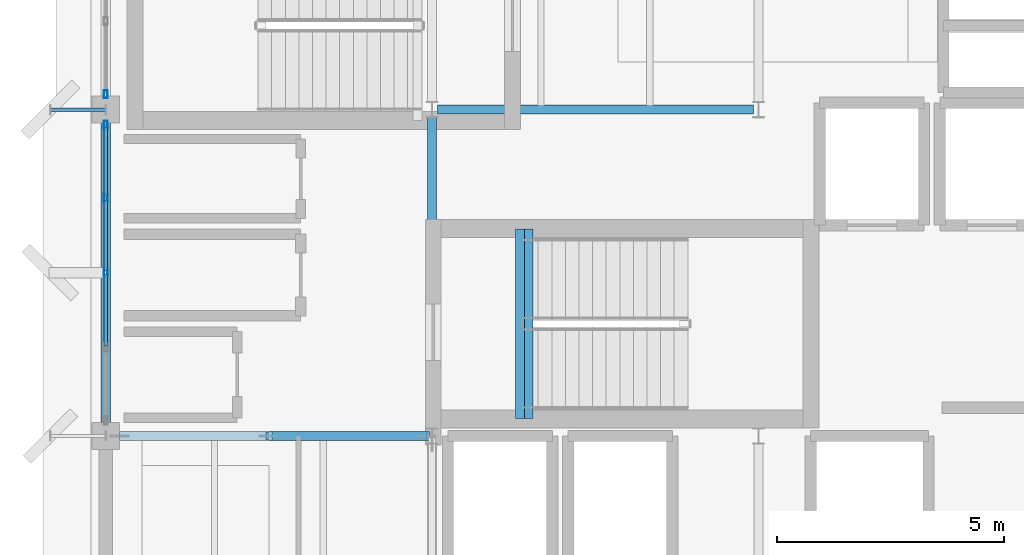
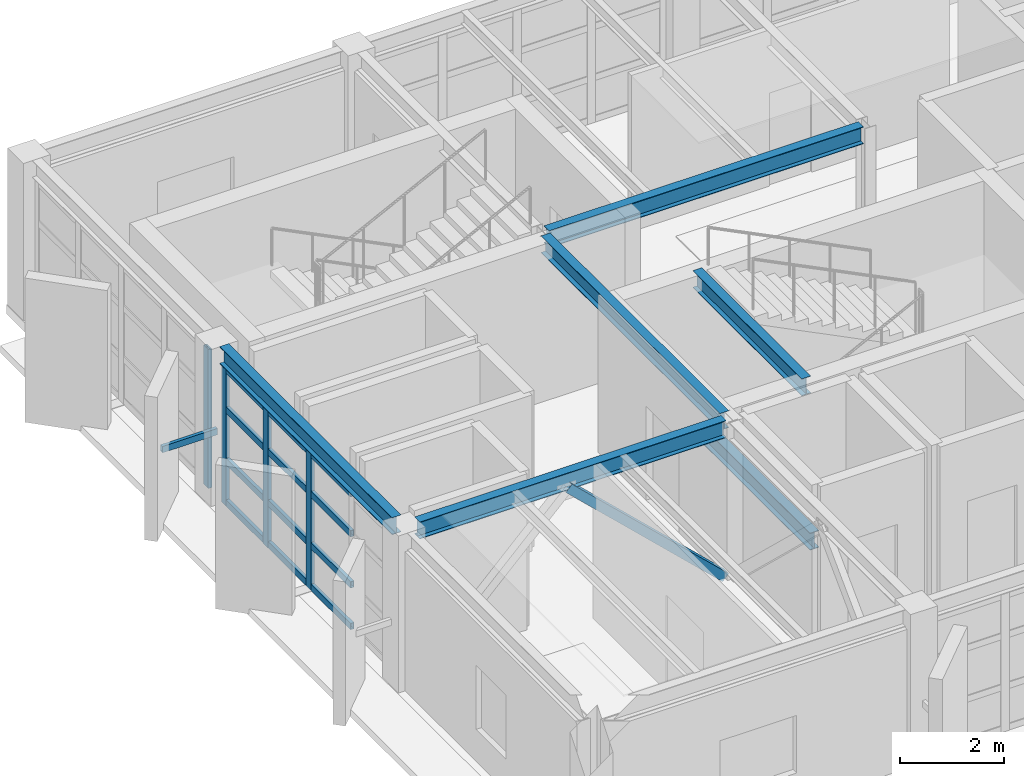
# One storey, part 4 of 15: 18 members, 6 beams, 2 elements without a shape of their own.
"""IFC4 building model written with IfcOpenShell, lengths in metres."""

from ifc_helpers import new_model, si_unit, direction, frame, origin, origin_2d, place, context, subcontext, project, spatial, hollow_rectangle, i_section, extrude, material, layer, layer_set, material_profile, profile_set, type_object, element, aggregate, save


model = new_model("IFC4")

# Units and contexts
model_context = context("Model", 3, precision=1e-05, world=origin(), true_north=direction((0.0, 1.0)))
body_context = subcontext(model_context, "Body", "Model", "MODEL_VIEW")
ifc_project = project(units=[si_unit("LENGTHUNIT", "METRE"), si_unit("AREAUNIT", "SQUARE_METRE"), si_unit("VOLUMEUNIT", "CUBIC_METRE"), si_unit("PLANEANGLEUNIT", "RADIAN"), si_unit("MASSUNIT", "GRAM", prefix="KILO")], contexts=[model_context])

# Site, building, storey
site_placement = place(None, origin())
site = spatial("IfcSite", under=ifc_project, at=site_placement, CompositionType="ELEMENT")
building_placement = place(site_placement, origin())
building = spatial("IfcBuilding", under=site, at=building_placement, Name="Kandorven Conservatory and Botanical Research Centre", CompositionType="ELEMENT")
storey_placement = place(building_placement, frame((0.0, 0.0, 48.300048828125)))
storey = spatial("IfcBuildingStorey", under=building, at=storey_placement, Name="L12", CompositionType="ELEMENT", Elevation=48.300048828125)

# Beams
ifc_material_1 = material(Name="Steel S355 (IS 2062 E350)", Category="steel")
ifc_material_profile_1 = material_profile(ifc_material_1, i_section(OverallWidth=0.199951171875, OverallDepth=0.39990234375, WebThickness=0.008544921875, FlangeThickness=0.012939453125, at=origin_2d()))
ifc_profile_set_1 = profile_set([ifc_material_profile_1], Name="Steel S355 (IS 2062 E350)")
beam_type = type_object("IfcBeamType", Name="Beam_FG-03", PredefinedType="USERDEFINED", material=ifc_profile_set_1)
beam_1_placement = place(storey_placement, frame((6.2900390625, 13.199951171875, 3.47998046875), z_axis=(1.0, 0.0, 0.0), x_axis=(0.0, 1.0, 0.0)))
element("IfcBeam", 1, at=beam_1_placement, inside=storey, type_object=beam_type, Name="Primary girder FG-03 TWR L12", ObjectType="GIRDER", PredefinedType="USERDEFINED", context=body_context, shape_type="SweptSolid", body=[
    extrude(i_section(OverallWidth=0.199951171875, OverallDepth=0.39990234375, WebThickness=0.008544921875, FlangeThickness=0.012939453125, at=origin_2d()), origin(), (0.0, 0.0, 1.0), 6.794921875),
])
beam_2_placement = place(storey_placement, frame((13.31494140625, 20.39990234375, 3.47998046875), z_axis=(1.0, 0.0, 0.0), x_axis=(0.0, 1.0, 0.0)))
element("IfcBeam", 2, at=beam_2_placement, inside=storey, type_object=beam_type, Name="Primary girder FG-03 TWR L12", ObjectType="GIRDER", PredefinedType="USERDEFINED", context=body_context, shape_type="SweptSolid", body=[
    extrude(i_section(OverallWidth=0.199951171875, OverallDepth=0.39990234375, WebThickness=0.008544921875, FlangeThickness=0.012939453125, at=origin_2d()), origin(), (0.0, 0.0, 1.0), 6.969970703125),
])
beam_3_placement = place(storey_placement, frame((6.0, 13.489990234375, 3.47998046875), z_axis=(0.0, 1.0, 0.0), x_axis=(-1.0, 0.0, 0.0)))
element("IfcBeam", 3, at=beam_3_placement, inside=storey, type_object=beam_type, Name="Primary girder FG-03 TWR L12", ObjectType="GIRDER", PredefinedType="USERDEFINED", context=body_context, shape_type="SweptSolid", body=[
    extrude(i_section(OverallWidth=0.199951171875, OverallDepth=0.39990234375, WebThickness=0.008544921875, FlangeThickness=0.012939453125, at=origin_2d()), origin(), (0.0, 0.0, 1.0), 6.6201171875),
])
beam_4_placement = place(storey_placement, frame((13.199951171875, 13.364990234375, 3.47998046875), z_axis=(0.0, 1.0, 0.0), x_axis=(-1.0, 0.0, 0.0)))
element("IfcBeam", 4, at=beam_4_placement, inside=storey, type_object=beam_type, Name="Primary girder FG-03 TWR L12", ObjectType="GIRDER", PredefinedType="USERDEFINED", context=body_context, shape_type="SweptSolid", body=[
    extrude(i_section(OverallWidth=0.199951171875, OverallDepth=0.39990234375, WebThickness=0.008544921875, FlangeThickness=0.012939453125, at=origin_2d()), origin(), (0.0, 0.0, 1.0), 6.8701171875),
])
for number, where, z_axis, x_axis, name in (
    (5, (15.320068359375, 13.580078125, -0.199951171875), (0.0, 1.0, 0.0), (-1.0, 0.0, 0.0), "Stair well bottom trimmer girder FG-03 ST-T1 L12"),
    (6, (15.139892578125, 13.580078125, 3.47998046875), (0.0, 1.0, 0.0), (-1.0, 0.0, 0.0), "Stair well top header girder FG-03 ST-T1 L12"),
):
    element("IfcBeam", number, at=place(storey_placement, frame(where, z_axis=z_axis, x_axis=x_axis)), inside=storey, type_object=beam_type, Name=name, ObjectType="GIRDER", PredefinedType="USERDEFINED", context=body_context, shape_type="SweptSolid", body=[
        extrude(i_section(OverallWidth=0.199951171875, OverallDepth=0.39990234375, WebThickness=0.008544921875, FlangeThickness=0.012939453125, at=origin_2d()), origin(), (0.0, 0.0, 1.0), 4.18994140625),
    ])

# Curtain wall, members
ifc_material_2 = material(Name="Bronze anodised thermally broken aluminium", Category="aluminium")
ifc_layer = layer(ifc_material_2, 0.179931640625)
ifc_layer_set = layer_set([ifc_layer], Name="Bronze anodised thermally broken aluminium")
curtain_wall_type = type_object("IfcCurtainWallType", Name="CW_Unitised", PredefinedType="USERDEFINED", material=ifc_layer_set)
curtain_wall_1_placement = place(storey_placement, origin())
curtain_wall_1 = element("IfcCurtainWall", 7, at=curtain_wall_1_placement, inside=storey, type_object=curtain_wall_type, Name="Tower laboratory curtain wall CW-TWR-W-L12-2", ObjectType="UNITISED GLAZING", PredefinedType="USERDEFINED")
ifc_material_3 = material(Name="Bronze anodised thermally broken aluminium", Category="aluminium")
ifc_material_profile_2 = material_profile(ifc_material_3, hollow_rectangle(XDim=0.080078125, YDim=0.179931640625, WallThickness=0.006103515625, at=origin_2d()))
ifc_profile_set_2 = profile_set([ifc_material_profile_2], Name="Bronze anodised thermally broken aluminium")
member_type_1 = type_object("IfcMemberType", Name="CW_Mullion", PredefinedType="MULLION", material=ifc_profile_set_2)
member_1_placement = place(storey_placement, frame((6.0, 16.800048828125, 0.0), z_axis=(0.0, 0.0, 1.0), x_axis=(-1.0, 0.0, 0.0)))
member_1 = element("IfcMember", 8, at=member_1_placement, type_object=member_type_1, Name="CW-01 mullion 3", PredefinedType="MULLION", context=body_context, shape_type="SweptSolid", body=[
    extrude(hollow_rectangle(XDim=0.080078125, YDim=0.179931640625, WallThickness=0.006103515625, at=origin_2d()), origin(), (0.0, 0.0, 1.0), 3.260009765625),
])
member_2_placement = place(storey_placement, frame((6.0, 18.449951171875, 0.0), z_axis=(0.0, 0.0, 1.0), x_axis=(-1.0, 0.0, 0.0)))
member_2 = element("IfcMember", 9, at=member_2_placement, type_object=member_type_1, Name="CW-01 mullion 4", PredefinedType="MULLION", context=body_context, shape_type="SweptSolid", body=[
    extrude(hollow_rectangle(XDim=0.080078125, YDim=0.179931640625, WallThickness=0.006103515625, at=origin_2d()), origin(), (0.0, 0.0, 1.0), 3.260009765625),
])
member_3_placement = place(storey_placement, frame((6.0, 20.06005859375, 0.0), z_axis=(0.0, 0.0, 1.0), x_axis=(-1.0, 0.0, 0.0)))
member_3 = element("IfcMember", 10, at=member_3_placement, type_object=member_type_1, Name="CW-01 mullion 5", PredefinedType="MULLION", context=body_context, shape_type="SweptSolid", body=[
    extrude(hollow_rectangle(XDim=0.080078125, YDim=0.179931640625, WallThickness=0.006103515625, at=origin_2d()), origin(), (0.0, 0.0, 1.0), 3.260009765625),
])

# Curtain wall, member
curtain_wall_2_placement = place(storey_placement, origin())
curtain_wall_2 = element("IfcCurtainWall", 11, at=curtain_wall_2_placement, inside=storey, type_object=curtain_wall_type, Name="Tower laboratory curtain wall CW-TWR-W-L12-3", ObjectType="UNITISED GLAZING", PredefinedType="USERDEFINED")
member_4_placement = place(storey_placement, frame((6.0, 20.739990234375, 0.0), z_axis=(0.0, 0.0, 1.0), x_axis=(-1.0, 0.0, 0.0)))
member_4 = element("IfcMember", 12, at=member_4_placement, type_object=member_type_1, Name="CW-01 mullion 1", PredefinedType="MULLION", context=body_context, shape_type="SweptSolid", body=[
    extrude(hollow_rectangle(XDim=0.080078125, YDim=0.179931640625, WallThickness=0.006103515625, at=origin_2d()), origin(), (0.0, 0.0, 1.0), 3.260009765625),
])
aggregate(curtain_wall_2, [member_4])

# Member
ifc_material_4 = material(Name="Bronze anodised thermally broken aluminium", Category="aluminium")
ifc_material_profile_3 = material_profile(ifc_material_4, hollow_rectangle(XDim=0.074951171875, YDim=0.14990234375, WallThickness=0.006103515625, at=origin_2d()))
ifc_profile_set_3 = profile_set([ifc_material_profile_3], Name="Bronze anodised thermally broken aluminium")
member_type_2 = type_object("IfcMemberType", Name="CW_Transom", PredefinedType="USERDEFINED", material=ifc_profile_set_3)
member_5_placement = place(storey_placement, frame((6.0, 15.18994140625, 0.074951171875), z_axis=(0.0, 1.0, 0.0), x_axis=(-1.0, 0.0, 0.0)))
member_5 = element("IfcMember", 13, at=member_5_placement, type_object=member_type_2, Name="CW-01 transom 2.1", ObjectType="TRANSOM", PredefinedType="USERDEFINED", context=body_context, shape_type="SweptSolid", body=[
    extrude(hollow_rectangle(XDim=0.074951171875, YDim=0.14990234375, WallThickness=0.006103515625, at=origin_2d()), origin(), (0.0, 0.0, 1.0), 1.570068359375),
])

member_6_placement = place(storey_placement, frame((6.0, 15.18994140625, 1.050048828125), z_axis=(0.0, 1.0, 0.0), x_axis=(-1.0, 0.0, 0.0)))
member_6 = element("IfcMember", 14, at=member_6_placement, type_object=member_type_2, Name="CW-01 transom 2.2", ObjectType="TRANSOM", PredefinedType="USERDEFINED", context=body_context, shape_type="SweptSolid", body=[
    extrude(hollow_rectangle(XDim=0.074951171875, YDim=0.14990234375, WallThickness=0.006103515625, at=origin_2d()), origin(), (0.0, 0.0, 1.0), 1.570068359375),
])

member_7_placement = place(storey_placement, frame((6.0, 15.18994140625, 2.25), z_axis=(0.0, 1.0, 0.0), x_axis=(-1.0, 0.0, 0.0)))
member_7 = element("IfcMember", 15, at=member_7_placement, type_object=member_type_2, Name="CW-01 transom 2.3", ObjectType="TRANSOM", PredefinedType="USERDEFINED", context=body_context, shape_type="SweptSolid", body=[
    extrude(hollow_rectangle(XDim=0.074951171875, YDim=0.14990234375, WallThickness=0.006103515625, at=origin_2d()), origin(), (0.0, 0.0, 1.0), 1.570068359375),
])

member_8_placement = place(storey_placement, frame((6.0, 15.18994140625, 3.18505859375), z_axis=(0.0, 1.0, 0.0), x_axis=(-1.0, 0.0, 0.0)))
member_8 = element("IfcMember", 16, at=member_8_placement, type_object=member_type_2, Name="CW-01 transom 2.4", ObjectType="TRANSOM", PredefinedType="USERDEFINED", context=body_context, shape_type="SweptSolid", body=[
    extrude(hollow_rectangle(XDim=0.074951171875, YDim=0.14990234375, WallThickness=0.006103515625, at=origin_2d()), origin(), (0.0, 0.0, 1.0), 1.570068359375),
])

member_9_placement = place(storey_placement, frame((6.0, 16.840087890625, 0.074951171875), z_axis=(0.0, 1.0, 0.0), x_axis=(-1.0, 0.0, 0.0)))
member_9 = element("IfcMember", 17, at=member_9_placement, type_object=member_type_2, Name="CW-01 transom 3.1", ObjectType="TRANSOM", PredefinedType="USERDEFINED", context=body_context, shape_type="SweptSolid", body=[
    extrude(hollow_rectangle(XDim=0.074951171875, YDim=0.14990234375, WallThickness=0.006103515625, at=origin_2d()), origin(), (0.0, 0.0, 1.0), 1.56982421875),
])

member_10_placement = place(storey_placement, frame((6.0, 16.840087890625, 1.050048828125), z_axis=(0.0, 1.0, 0.0), x_axis=(-1.0, 0.0, 0.0)))
member_10 = element("IfcMember", 18, at=member_10_placement, type_object=member_type_2, Name="CW-01 transom 3.2", ObjectType="TRANSOM", PredefinedType="USERDEFINED", context=body_context, shape_type="SweptSolid", body=[
    extrude(hollow_rectangle(XDim=0.074951171875, YDim=0.14990234375, WallThickness=0.006103515625, at=origin_2d()), origin(), (0.0, 0.0, 1.0), 1.56982421875),
])

member_11_placement = place(storey_placement, frame((6.0, 16.840087890625, 2.25), z_axis=(0.0, 1.0, 0.0), x_axis=(-1.0, 0.0, 0.0)))
member_11 = element("IfcMember", 19, at=member_11_placement, type_object=member_type_2, Name="CW-01 transom 3.3", ObjectType="TRANSOM", PredefinedType="USERDEFINED", context=body_context, shape_type="SweptSolid", body=[
    extrude(hollow_rectangle(XDim=0.074951171875, YDim=0.14990234375, WallThickness=0.006103515625, at=origin_2d()), origin(), (0.0, 0.0, 1.0), 1.56982421875),
])

member_12_placement = place(storey_placement, frame((6.0, 16.840087890625, 3.18505859375), z_axis=(0.0, 1.0, 0.0), x_axis=(-1.0, 0.0, 0.0)))
member_12 = element("IfcMember", 20, at=member_12_placement, type_object=member_type_2, Name="CW-01 transom 3.4", ObjectType="TRANSOM", PredefinedType="USERDEFINED", context=body_context, shape_type="SweptSolid", body=[
    extrude(hollow_rectangle(XDim=0.074951171875, YDim=0.14990234375, WallThickness=0.006103515625, at=origin_2d()), origin(), (0.0, 0.0, 1.0), 1.56982421875),
])

member_13_placement = place(storey_placement, frame((6.0, 18.489990234375, 0.074951171875), z_axis=(0.0, 1.0, 0.0), x_axis=(-1.0, 0.0, 0.0)))
member_13 = element("IfcMember", 21, at=member_13_placement, type_object=member_type_2, Name="CW-01 transom 4.1", ObjectType="TRANSOM", PredefinedType="USERDEFINED", context=body_context, shape_type="SweptSolid", body=[
    extrude(hollow_rectangle(XDim=0.074951171875, YDim=0.14990234375, WallThickness=0.006103515625, at=origin_2d()), origin(), (0.0, 0.0, 1.0), 1.530029296875),
])

member_14_placement = place(storey_placement, frame((6.0, 18.489990234375, 1.050048828125), z_axis=(0.0, 1.0, 0.0), x_axis=(-1.0, 0.0, 0.0)))
member_14 = element("IfcMember", 22, at=member_14_placement, type_object=member_type_2, Name="CW-01 transom 4.2", ObjectType="TRANSOM", PredefinedType="USERDEFINED", context=body_context, shape_type="SweptSolid", body=[
    extrude(hollow_rectangle(XDim=0.074951171875, YDim=0.14990234375, WallThickness=0.006103515625, at=origin_2d()), origin(), (0.0, 0.0, 1.0), 1.530029296875),
])

member_15_placement = place(storey_placement, frame((6.0, 18.489990234375, 2.25), z_axis=(0.0, 1.0, 0.0), x_axis=(-1.0, 0.0, 0.0)))
member_15 = element("IfcMember", 23, at=member_15_placement, type_object=member_type_2, Name="CW-01 transom 4.3", ObjectType="TRANSOM", PredefinedType="USERDEFINED", context=body_context, shape_type="SweptSolid", body=[
    extrude(hollow_rectangle(XDim=0.074951171875, YDim=0.14990234375, WallThickness=0.006103515625, at=origin_2d()), origin(), (0.0, 0.0, 1.0), 1.530029296875),
])

member_16_placement = place(storey_placement, frame((6.0, 18.489990234375, 3.18505859375), z_axis=(0.0, 1.0, 0.0), x_axis=(-1.0, 0.0, 0.0)))
member_16 = element("IfcMember", 24, at=member_16_placement, type_object=member_type_2, Name="CW-01 transom 4.4", ObjectType="TRANSOM", PredefinedType="USERDEFINED", context=body_context, shape_type="SweptSolid", body=[
    extrude(hollow_rectangle(XDim=0.074951171875, YDim=0.14990234375, WallThickness=0.006103515625, at=origin_2d()), origin(), (0.0, 0.0, 1.0), 1.530029296875),
])

aggregate(curtain_wall_1, [member_1, member_2, member_3, member_5, member_6, member_7, member_8, member_9, member_10, member_11, member_12, member_13, member_14, member_15, member_16])

# Members
ifc_material_5 = material(Name="Steel S355 (IS 2062 E350)", Category="steel")
ifc_material_profile_4 = material_profile(ifc_material_5, hollow_rectangle(XDim=0.199951171875, YDim=0.199951171875, WallThickness=0.010009765625, at=origin_2d()))
ifc_profile_set_4 = profile_set([ifc_material_profile_4], Name="Steel S355 (IS 2062 E350)")
member_type_3 = type_object("IfcMemberType", Name="Mem_BR-03", PredefinedType="BRACE", material=ifc_profile_set_4)
member_17_placement = place(storey_placement, frame((13.074951171875, 13.199951171875, 0.0), z_axis=(-0.724067758373, 0.0, 0.689728846204), x_axis=(0.0, -1.0, 0.0)))
element("IfcMember", 25, at=member_17_placement, inside=storey, type_object=member_type_3, Name="Tower lateral chevron brace BR-03 L12 E", PredefinedType="BRACE", context=body_context, shape_type="SweptSolid", body=[
    extrude(hollow_rectangle(XDim=0.199951171875, YDim=0.199951171875, WallThickness=0.010009765625, at=origin_2d()), origin(), (0.0, 0.0, 1.0), 4.799072265625),
])
ifc_material_6 = material(Name="Steel S355 (IS 2062 E350)", Category="steel")
ifc_material_profile_5 = material_profile(ifc_material_6, hollow_rectangle(XDim=0.074951171875, YDim=0.14990234375, WallThickness=0.006103515625, at=origin_2d()))
ifc_profile_set_5 = profile_set([ifc_material_profile_5], Name="Steel S355 (IS 2062 E350)")
member_type_4 = type_object("IfcMemberType", Name="Mem_SF-01", PredefinedType="STRUT", material=ifc_profile_set_5)
member_18_placement = place(storey_placement, frame((6.0, 20.39990234375, 1.5), z_axis=(-1.0, 0.0, 0.0), x_axis=(0.0, -1.0, 0.0)))
element("IfcMember", 26, at=member_18_placement, inside=storey, type_object=member_type_4, Name="Solar fin steel outrigger strut SF-01 #103", PredefinedType="STRUT", context=body_context, shape_type="SweptSolid", body=[
    extrude(hollow_rectangle(XDim=0.074951171875, YDim=0.14990234375, WallThickness=0.006103515625, at=origin_2d()), origin(), (0.0, 0.0, 1.0), 1.219970703125),
])

save(model, "model.ifc")
